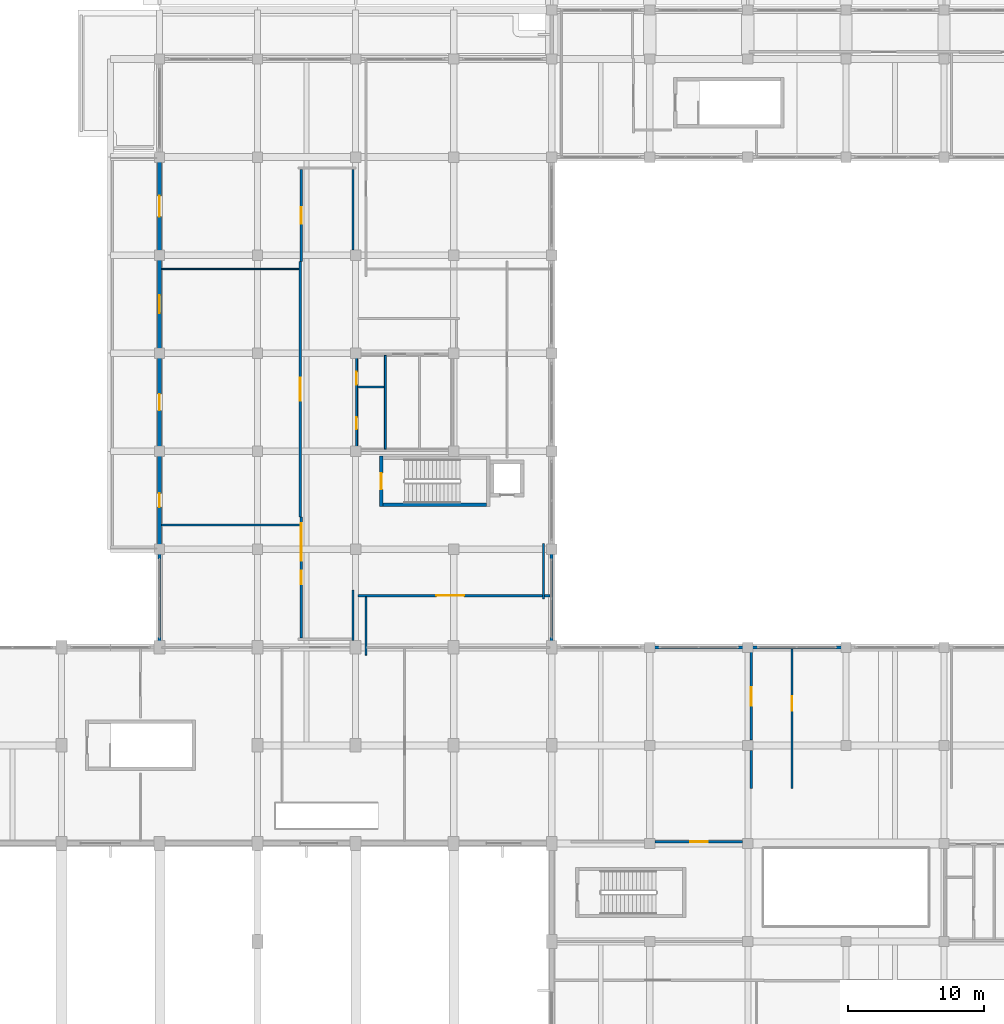
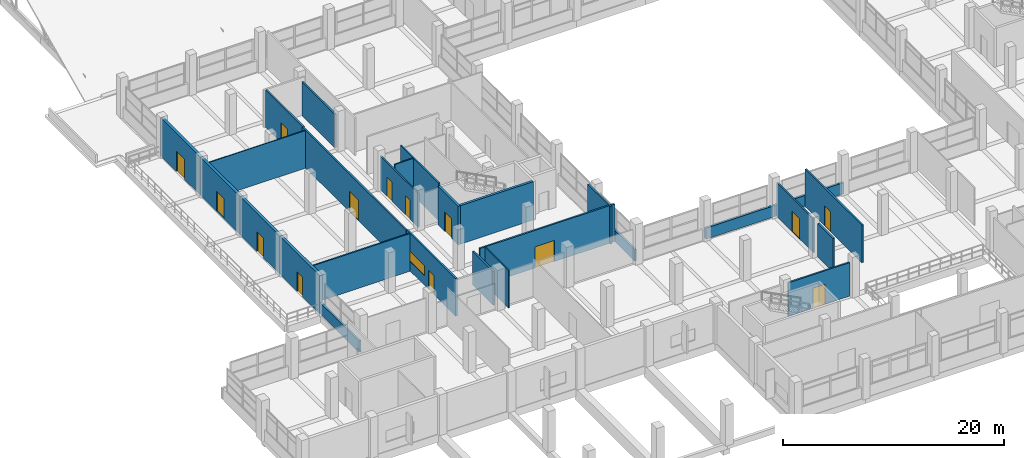
# One storey, part 127 of 141: 27 walls, 14 doors, 1 window, 15 openings.
"""IFC4 building model written with IfcOpenShell, lengths in metres."""

import ifcopenshell
import ifcopenshell.guid

model = None  # the IFC model being written
_history = None  # IfcOwnerHistory: only IFC2X3 demands one
_inside = {}  # id of a spatial element -> (the spatial element, [elements in it])
_under = {}  # id of a project, library or spatial element -> (it, [spatial elements below it])
_declared = {}  # id of a project -> (the project, [libraries it declares])
_typed = {}  # id of a type object -> (the type object, [elements of that type])
_made_of = {}  # id of a material, layer set ... -> (it, [elements and type objects made of it])


def new_model(schema):
    """Start an empty IFC model of exactly this schema.

    Asked for "IFC4X3", IfcOpenShell would pick the latest addendum, in which some entities
    have other attributes; the version numbers below select the first issue.
    IFC2X3 requires an IfcOwnerHistory on every rooted entity: one is made here for all.
    """
    global model, _history
    if schema == "IFC4X3":
        model = ifcopenshell.file(schema_version=(4, 3, 0, 0))
    else:
        model = ifcopenshell.file(schema=schema)
    _inside.clear()
    _under.clear()
    _declared.clear()
    _typed.clear()
    _made_of.clear()
    _history = None
    if model.schema == "IFC2X3":
        org = make("IfcOrganization", Name="unknown")
        user = make(
            "IfcPersonAndOrganization",
            ThePerson=make("IfcPerson", FamilyName="unknown"),
            TheOrganization=org,
        )
        app = make(
            "IfcApplication",
            ApplicationDeveloper=org,
            Version="unknown",
            ApplicationFullName="unknown",
            ApplicationIdentifier="unknown",
        )
        _history = make(
            "IfcOwnerHistory",
            OwningUser=user,
            OwningApplication=app,
            ChangeAction="ADDED",
            CreationDate=0,
        )
    return model


def make(cls, **values):
    """One entity of the class cls with the attributes given. An attribute that is None is left unset."""
    return model.create_entity(
        cls, **{name: value for name, value in values.items() if value is not None}
    )


def rooted(cls, **values):
    """An entity with a GlobalId (a new one), such as an element, a storey or a relation."""
    return make(cls, GlobalId=ifcopenshell.guid.new(), OwnerHistory=_history, **values)


def si_unit(unit_type, name, prefix=None):
    """IfcSIUnit, for example si_unit("LENGTHUNIT", "METRE", prefix="MILLI")."""
    return make("IfcSIUnit", UnitType=unit_type, Prefix=prefix, Name=name)


def assignment(units):
    """IfcUnitAssignment: the units of a project."""
    return None if units is None else make("IfcUnitAssignment", Units=units)


def point(xyz):
    """IfcCartesianPoint."""
    return None if xyz is None else make("IfcCartesianPoint", Coordinates=xyz)


def direction(xyz):
    """IfcDirection."""
    return None if xyz is None else make("IfcDirection", DirectionRatios=xyz)


def frame(location, z_axis=None, x_axis=None):
    """IfcAxis2Placement3D, a coordinate frame: its origin and axes. An axis left out is left unset."""
    return make(
        "IfcAxis2Placement3D",
        Location=point(location),
        Axis=direction(z_axis),
        RefDirection=direction(x_axis),
    )


def frame_2d(location, x_axis=None):
    """IfcAxis2Placement2D, a coordinate frame in the plane: its origin and x axis."""
    return make(
        "IfcAxis2Placement2D", Location=point(location), RefDirection=direction(x_axis)
    )


def origin():
    """The frame at (0, 0, 0) with its axes left unset."""
    return frame((0.0, 0.0, 0.0))


def place(relative_to, where):
    """IfcLocalPlacement: puts the frame where relative to a parent placement (None: the world)."""
    return make(
        "IfcLocalPlacement", PlacementRelTo=relative_to, RelativePlacement=where
    )


def context(
    kind, dimensions, precision=None, world=None, true_north=None, identifier=None
):
    """IfcGeometricRepresentationContext, for example the 3D "Model" context."""
    return make(
        "IfcGeometricRepresentationContext",
        ContextIdentifier=identifier,
        ContextType=kind,
        CoordinateSpaceDimension=dimensions,
        Precision=precision,
        WorldCoordinateSystem=world,
        TrueNorth=true_north,
    )


def subcontext(parent, identifier, kind, view, scale=None):
    """IfcGeometricRepresentationSubContext, for example "Body" below "Model"."""
    return make(
        "IfcGeometricRepresentationSubContext",
        ContextIdentifier=identifier,
        ContextType=kind,
        ParentContext=parent,
        TargetScale=scale,
        TargetView=view,
    )


def project(units=None, contexts=None):
    """IfcProject with its units and contexts."""
    return rooted(
        "IfcProject",
        Name="project",
        RepresentationContexts=contexts,
        UnitsInContext=assignment(units),
    )


def spatial(cls, under=None, at=None, **own):
    """A site, building, storey or space (cls), placed at a placement, below another one or the project."""
    s = rooted(cls, ObjectPlacement=at, **own)
    if under is not None:
        _under.setdefault(under.id(), (under, []))[1].append(s)
    return s


def profile(cls, at=None, kind="AREA", **sizes):
    """A parametric profile (cls). Its sizes go by their IFC names, for example OverallWidth=200.0."""
    return make(cls, ProfileType=kind, Position=at, **sizes)


def rectangle(**sizes):
    """IfcRectangleProfileDef."""
    return profile("IfcRectangleProfileDef", **sizes)


def extrude(swept, where, along, depth):
    """IfcExtrudedAreaSolid: the profile swept, set in the frame where, extruded along a direction by depth."""
    return make(
        "IfcExtrudedAreaSolid",
        SweptArea=swept,
        Position=where,
        ExtrudedDirection=direction(along),
        Depth=depth,
    )


def shape(context_of_items, identifier, shape_type, items):
    """IfcShapeRepresentation: the items that make up one representation, for example the "Body"."""
    return make(
        "IfcShapeRepresentation",
        ContextOfItems=context_of_items,
        RepresentationIdentifier=identifier,
        RepresentationType=shape_type,
        Items=items,
    )


def material(Name=None, Category=None):
    """IfcMaterial."""
    return make("IfcMaterial", Name=Name, Category=Category)


def layer(
    of_material, thickness, ventilated=None, Name=None, Category=None, Priority=None
):
    """IfcMaterialLayer: one layer of a wall or slab, of a material (None: an air gap)."""
    return make(
        "IfcMaterialLayer",
        Material=of_material,
        LayerThickness=thickness,
        IsVentilated=ventilated,
        Name=Name,
        Category=Category,
        Priority=Priority,
    )


def layer_set(layers, Name=None):
    """IfcMaterialLayerSet."""
    return make("IfcMaterialLayerSet", MaterialLayers=layers, LayerSetName=Name)


def made_of(thing, what):
    """Note that an element or type object is made of a material, layer set ...; save() writes the relation."""
    if what is not None:
        _made_of.setdefault(what.id(), (what, []))[1].append(thing)
    return thing


def type_object(cls, material=None, **own):
    """A type object (cls), such as IfcWallType, which elements share."""
    return made_of(rooted(cls, **own), material)


def element(
    cls,
    number,
    at=None,
    inside=None,
    cuts=None,
    type_object=None,
    material=None,
    context=None,
    identifier="Body",
    shape_type=None,
    held_by="IfcProductDefinitionShape",
    body=None,
    shapes=None,
    **own,
):
    """One element of the class cls, such as IfcWall. Its Tag is "e" and its number.

    at: its placement. inside: the storey or other place that contains it. cuts: it is an
    opening in that element (IfcRelVoidsElement). A single representation is given by context,
    identifier, shape_type and body (its items); several are given by shapes. held_by: the class
    of the entity that holds the representations. save() writes the other relations.
    """
    e = rooted(cls, Tag="e%d" % number, ObjectPlacement=at, **own)
    if body is not None:
        shapes = [shape(context, identifier, shape_type, body)]
    if shapes is not None:
        e.Representation = make(held_by, Representations=shapes)
    if inside is not None:
        _inside.setdefault(inside.id(), (inside, []))[1].append(e)
    if cuts is not None:
        rooted(
            "IfcRelVoidsElement", RelatingBuildingElement=cuts, RelatedOpeningElement=e
        )
    if type_object is not None:
        _typed.setdefault(type_object.id(), (type_object, []))[1].append(e)
    return made_of(e, material)


def fill(opening, filler):
    """IfcRelFillsElement: the door or window that sits in an opening."""
    return rooted(
        "IfcRelFillsElement",
        RelatingOpeningElement=opening,
        RelatedBuildingElement=filler,
    )


def aggregate(whole, parts):
    """IfcRelAggregates: a whole, such as a stair, and the parts it consists of."""
    return rooted("IfcRelAggregates", RelatingObject=whole, RelatedObjects=parts)


def save(model, path):
    """Write the relations noted so far, then the file.

    IfcRelAggregates (storeys below a building ...), IfcRelContainedInSpatialStructure (elements
    in a storey), IfcRelDefinesByType, IfcRelAssociatesMaterial and IfcRelDeclares: one each for
    every whole, place, type object, material and project.
    """
    for whole, parts in _under.values():
        aggregate(whole, parts)
    for where, things in _inside.values():
        rooted(
            "IfcRelContainedInSpatialStructure",
            RelatedElements=things,
            RelatingStructure=where,
        )
    for kind, things in _typed.values():
        rooted("IfcRelDefinesByType", RelatedObjects=things, RelatingType=kind)
    for what, things in _made_of.values():
        rooted("IfcRelAssociatesMaterial", RelatedObjects=things, RelatingMaterial=what)
    for by, libraries in _declared.values():
        rooted("IfcRelDeclares", RelatingContext=by, RelatedDefinitions=libraries)
    model.write(path)


model = new_model("IFC4")

# Units and contexts
model_context = context("Model", 3, precision=1e-05, world=origin(), true_north=direction((0.0, 1.0)))
body_context = subcontext(model_context, "Body", "Model", "MODEL_VIEW")
ifc_project = project(units=[si_unit("LENGTHUNIT", "METRE"), si_unit("AREAUNIT", "SQUARE_METRE"), si_unit("VOLUMEUNIT", "CUBIC_METRE"), si_unit("PLANEANGLEUNIT", "RADIAN"), si_unit("MASSUNIT", "GRAM", prefix="KILO")], contexts=[model_context])

# Site, building, storey
site_placement = place(None, origin())
site = spatial("IfcSite", under=ifc_project, at=site_placement, CompositionType="ELEMENT")
building_placement = place(site_placement, origin())
building = spatial("IfcBuilding", under=site, at=building_placement, Name="Seraya Terrace Polytechnic", CompositionType="ELEMENT")
storey_placement = place(building_placement, frame((0.0, 0.0, 14.39990234375)))
storey = spatial("IfcBuildingStorey", under=building, at=storey_placement, Name="L03", CompositionType="ELEMENT", Elevation=14.39990234375)

# Wall, opening, door
ifc_material_1 = material(Name="Precast concrete C40/50", Category="concrete")
ifc_layer_1 = layer(ifc_material_1, 0.280029296875, Name="EW-02")
ifc_layer_set_1 = layer_set([ifc_layer_1], Name="Precast concrete C40/50")
wall_type_1 = type_object("IfcWallType", Name="EW-02", PredefinedType="SOLIDWALL", material=ifc_layer_set_1)
wall_1_placement = place(storey_placement, frame((14.39990234375, 36.0, 0.0), z_axis=(0.0, 0.0, 1.0), x_axis=(0.0, 1.0, 0.0)))
wall_1 = element("IfcWall", 1, at=wall_1_placement, inside=storey, type_object=wall_type_1, Name="Exterior structural wall EW-02 L03", PredefinedType="SOLIDWALL", context=body_context, shape_type="SweptSolid", body=[
    extrude(rectangle(XDim=7.199951171875, YDim=0.280029296875, at=frame_2d((3.60009765625, 0.0))), origin(), (0.0, 0.0, 1.0), 4.22021484375),
])
opening_1_placement = place(wall_1_placement, frame((3.10009765625, 0.0, 0.0)))
opening_1 = element("IfcOpeningElement", 2, at=opening_1_placement, cuts=wall_1, Name="Opening TD-01", PredefinedType="OPENING", context=body_context, shape_type="SweptSolid", body=[
    extrude(rectangle(XDim=1.0, YDim=2.14990234375, at=frame_2d((0.5, 1.074951171875))), frame((0.0, 0.15185546875, 0.0), z_axis=(0.0, -1.0, 0.0), x_axis=(1.0, 0.0, 0.0)), (0.0, 0.0, 1.0), 0.303955078125),
])
ifc_material_2 = material(Name="Anodised aluminium EN AW-6063 T6", Category="aluminium")
door_type_1 = type_object("IfcDoorType", Name="TD-01", OperationType="NOTDEFINED", PredefinedType="DOOR", material=ifc_material_2)
door_1_placement = place(opening_1_placement, origin())
door_1 = element("IfcDoor", 3, at=door_1_placement, inside=storey, type_object=door_type_1, Name="Door TD-01 DR-TERR-L03-05-01 in WL-EXT-L03-05-01", OperationType="SINGLE_SWING_LEFT", OverallHeight=2.14990234375, OverallWidth=1.0, PredefinedType="DOOR", context=body_context, shape_type="SweptSolid", body=[
    extrude(rectangle(XDim=1.0, YDim=2.14990234375, at=frame_2d((0.5, 1.074951171875))), frame((0.0, 0.02490234375, 0.0), z_axis=(0.0, -1.0, 0.0), x_axis=(1.0, 0.0, 0.0)), (0.0, 0.0, 1.0), 0.050048828125),
])
fill(opening_1, door_1)

wall_2_placement = place(storey_placement, frame((14.39990234375, 43.199951171875, 0.0), z_axis=(0.0, 0.0, 1.0), x_axis=(0.0, 1.0, 0.0)))
wall_2 = element("IfcWall", 4, at=wall_2_placement, inside=storey, type_object=wall_type_1, Name="Exterior structural wall EW-02 L03", PredefinedType="SOLIDWALL", context=body_context, shape_type="SweptSolid", body=[
    extrude(rectangle(XDim=7.199951171875, YDim=0.280029296875, at=frame_2d((3.60009765625, 0.0))), origin(), (0.0, 0.0, 1.0), 4.22021484375),
])
opening_2_placement = place(wall_2_placement, frame((3.010009765625, 0.0, 0.0)))
opening_2 = element("IfcOpeningElement", 5, at=opening_2_placement, cuts=wall_2, Name="Opening TD-02", PredefinedType="OPENING", context=body_context, shape_type="SweptSolid", body=[
    extrude(rectangle(XDim=1.179931640625, YDim=2.179931640625, at=frame_2d((0.58984375, 1.08984375))), frame((0.0, 0.15185546875, 0.0), z_axis=(0.0, -1.0, 0.0), x_axis=(1.0, 0.0, 0.0)), (0.0, 0.0, 1.0), 0.303955078125),
])
door_type_2 = type_object("IfcDoorType", Name="TD-02", OperationType="NOTDEFINED", PredefinedType="DOOR", material=ifc_material_2)
door_2_placement = place(opening_2_placement, origin())
door_2 = element("IfcDoor", 6, at=door_2_placement, inside=storey, type_object=door_type_2, Name="Door TD-02 DR-TERR-L03-05-02 in WL-EXT-L03-05-02", OperationType="SINGLE_SWING_RIGHT", OverallHeight=2.179931640625, OverallWidth=1.179931640625, PredefinedType="DOOR", context=body_context, shape_type="SweptSolid", body=[
    extrude(rectangle(XDim=1.179931640625, YDim=2.179931640625, at=frame_2d((0.58984375, 1.08984375))), frame((0.0, 0.02490234375, 0.0), z_axis=(0.0, -1.0, 0.0), x_axis=(1.0, 0.0, 0.0)), (0.0, 0.0, 1.0), 0.050048828125),
])
fill(opening_2, door_2)

wall_3_placement = place(storey_placement, frame((14.39990234375, 50.39990234375, 0.0), z_axis=(0.0, 0.0, 1.0), x_axis=(0.0, 1.0, 0.0)))
wall_3 = element("IfcWall", 7, at=wall_3_placement, inside=storey, type_object=wall_type_1, Name="Exterior structural wall EW-02 L03", PredefinedType="SOLIDWALL", context=body_context, shape_type="SweptSolid", body=[
    extrude(rectangle(XDim=7.2001953125, YDim=0.280029296875, at=frame_2d((3.60009765625, 0.0))), origin(), (0.0, 0.0, 1.0), 4.22021484375),
])
opening_3_placement = place(wall_3_placement, frame((2.93994140625, 0.0, 0.0)))
opening_3 = element("IfcOpeningElement", 8, at=opening_3_placement, cuts=wall_3, Name="Opening TD-03", PredefinedType="OPENING", context=body_context, shape_type="SweptSolid", body=[
    extrude(rectangle(XDim=1.320068359375, YDim=2.199951171875, at=frame_2d((0.66015625, 1.10009765625))), frame((0.0, 0.15185546875, 0.0), z_axis=(0.0, -1.0, 0.0), x_axis=(1.0, 0.0, 0.0)), (0.0, 0.0, 1.0), 0.303955078125),
])
door_type_3 = type_object("IfcDoorType", Name="TD-03", OperationType="NOTDEFINED", PredefinedType="DOOR", material=ifc_material_2)
door_3_placement = place(opening_3_placement, origin())
door_3 = element("IfcDoor", 9, at=door_3_placement, inside=storey, type_object=door_type_3, Name="Door TD-03 DR-TERR-L03-05-03 in WL-EXT-L03-05-03", OperationType="SINGLE_SWING_LEFT", OverallHeight=2.199951171875, OverallWidth=1.320068359375, PredefinedType="DOOR", context=body_context, shape_type="SweptSolid", body=[
    extrude(rectangle(XDim=1.320068359375, YDim=2.199951171875, at=frame_2d((0.66015625, 1.10009765625))), frame((0.0, 0.02490234375, 0.0), z_axis=(0.0, -1.0, 0.0), x_axis=(1.0, 0.0, 0.0)), (0.0, 0.0, 1.0), 0.050048828125),
])
fill(opening_3, door_3)

wall_4_placement = place(storey_placement, frame((14.39990234375, 57.60009765625, 0.0), z_axis=(0.0, 0.0, 1.0), x_axis=(0.0, 1.0, 0.0)))
wall_4 = element("IfcWall", 10, at=wall_4_placement, inside=storey, type_object=wall_type_1, Name="Exterior structural wall EW-02 L03", PredefinedType="SOLIDWALL", context=body_context, shape_type="SweptSolid", body=[
    extrude(rectangle(XDim=7.199951171875, YDim=0.280029296875, at=frame_2d((3.60009765625, 0.0))), origin(), (0.0, 0.0, 1.0), 4.22021484375),
])
opening_4_placement = place(wall_4_placement, frame((2.840087890625, 0.0, 0.0)))
opening_4 = element("IfcOpeningElement", 11, at=opening_4_placement, cuts=wall_4, Name="Opening TD-04", PredefinedType="OPENING", context=body_context, shape_type="SweptSolid", body=[
    extrude(rectangle(XDim=1.52001953125, YDim=2.219970703125, at=frame_2d((0.760009765625, 1.10986328125))), frame((0.0, 0.15185546875, 0.0), z_axis=(0.0, -1.0, 0.0), x_axis=(1.0, 0.0, 0.0)), (0.0, 0.0, 1.0), 0.303955078125),
])
door_type_4 = type_object("IfcDoorType", Name="TD-04", OperationType="DOUBLE_DOOR_SINGLE_SWING", PredefinedType="DOOR", material=ifc_material_2)
door_4_placement = place(opening_4_placement, origin())
door_4 = element("IfcDoor", 12, at=door_4_placement, inside=storey, type_object=door_type_4, Name="Door TD-04 DR-TERR-L03-05-04 in WL-EXT-L03-05-04", OperationType="DOUBLE_DOOR_SINGLE_SWING", OverallHeight=2.219970703125, OverallWidth=1.52001953125, PredefinedType="DOOR", context=body_context, shape_type="SweptSolid", body=[
    extrude(rectangle(XDim=1.52001953125, YDim=2.219970703125, at=frame_2d((0.760009765625, 1.10986328125))), frame((0.0, 0.02490234375, 0.0), z_axis=(0.0, -1.0, 0.0), x_axis=(1.0, 0.0, 0.0)), (0.0, 0.0, 1.0), 0.050048828125),
])
fill(opening_4, door_4)

# Walls
ifc_layer_2 = layer(ifc_material_1, 0.219970703125, Name="EW-05")
ifc_layer_set_2 = layer_set([ifc_layer_2], Name="Precast concrete C40/50")
wall_type_2 = type_object("IfcWallType", Name="EW-05", PredefinedType="SOLIDWALL", material=ifc_layer_set_2)
for number, where, z_axis, x_axis, name in (
    (13, (14.39990234375, 28.966064453125, 0.0), (0.0, 0.0, 1.0), (0.0, 1.0, 0.0), "Precast spandrel wall L03"),
    (14, (43.199951171875, 36.0, 0.0), (0.0, 0.0, 1.0), (0.0, -1.0, 0.0), "Precast spandrel wall L03"),
):
    element("IfcWall", number, at=place(storey_placement, frame(where, z_axis=z_axis, x_axis=x_axis)), inside=storey, type_object=wall_type_2, Name=name, PredefinedType="SOLIDWALL", context=body_context, shape_type="SweptSolid", body=[
        extrude(rectangle(XDim=7.033935546875, YDim=0.219970703125, at=frame_2d((3.51708984375, 0.0))), origin(), (0.0, 0.0, 1.0), 1.239990234375),
    ])
wall_5_placement = place(storey_placement, frame((50.39990234375, 28.800048828125, 0.0), z_axis=(0.0, 0.0, 1.0), x_axis=(1.0, 0.0, 0.0)))
element("IfcWall", 15, at=wall_5_placement, inside=storey, type_object=wall_type_2, Name="Precast spandrel wall L03", PredefinedType="SOLIDWALL", context=body_context, shape_type="SweptSolid", body=[
    extrude(rectangle(XDim=7.2001953125, YDim=0.219970703125, at=frame_2d((3.60009765625, 0.0))), origin(), (0.0, 0.0, 1.0), 1.239990234375),
])
wall_6_placement = place(storey_placement, frame((57.60009765625, 28.800048828125, 0.0), z_axis=(0.0, 0.0, 1.0), x_axis=(1.0, 0.0, 0.0)))
element("IfcWall", 16, at=wall_6_placement, inside=storey, type_object=wall_type_2, Name="Precast spandrel wall L03", PredefinedType="SOLIDWALL", context=body_context, shape_type="SweptSolid", body=[
    extrude(rectangle(XDim=7.199951171875, YDim=0.219970703125, at=frame_2d((3.60009765625, 0.0))), origin(), (0.0, 0.0, 1.0), 1.239990234375),
])

# Wall, opening, door
ifc_material_3 = material(Name="Autoclaved aerated concrete blockwork", Category="masonry")
ifc_layer_3 = layer(ifc_material_3, 0.169921875, Name="PT-02")
ifc_layer_set_3 = layer_set([ifc_layer_3], Name="Autoclaved aerated concrete blockwork")
wall_type_3 = type_object("IfcWallType", Name="PT-02", PredefinedType="PARTITIONING", material=ifc_layer_set_3)
wall_7_placement = place(storey_placement, frame((50.784912109375, 14.530029296875, 0.0), z_axis=(0.0, 0.0, 1.0), x_axis=(1.0, 0.0, 0.0)))
wall_7 = element("IfcWall", 17, at=wall_7_placement, inside=storey, type_object=wall_type_3, Name="Internal partition PT-02 L03", PredefinedType="PARTITIONING", context=body_context, shape_type="SweptSolid", body=[
    extrude(rectangle(XDim=6.43017578125, YDim=0.169921875, at=frame_2d((3.215087890625, 0.0))), origin(), (0.0, 0.0, 1.0), 3.7001953125),
])
opening_5_placement = place(wall_7_placement, frame((2.574951171875, 0.0, 0.0)))
opening_5 = element("IfcOpeningElement", 18, at=opening_5_placement, cuts=wall_7, Name="Opening ID-08", PredefinedType="OPENING", context=body_context, shape_type="SweptSolid", body=[
    extrude(rectangle(XDim=1.280029296875, YDim=2.219970703125, at=frame_2d((0.64013671875, 1.10986328125))), frame((0.0, 0.096923828125, 0.0), z_axis=(0.0, -1.0, 0.0), x_axis=(1.0, 0.0, 0.0)), (0.0, 0.0, 1.0), 0.19384765625),
])
ifc_material_4 = material(Name="Malaysian dark red meranti hardwood timber D40", Category="wood")
door_type_5 = type_object("IfcDoorType", Name="ID-08", OperationType="NOTDEFINED", PredefinedType="DOOR", material=ifc_material_4)
door_5_placement = place(opening_5_placement, frame((1.280029296875, 0.0, 0.0), z_axis=(0.0, 0.0, 1.0), x_axis=(-1.0, 0.0, 0.0)))
door_5 = element("IfcDoor", 19, at=door_5_placement, inside=storey, type_object=door_type_5, Name="Door ID-08 DR-INT-L03-0197 in WL-INT-L03-0548", OperationType="SINGLE_SWING_RIGHT", OverallHeight=2.219970703125, OverallWidth=1.280029296875, PredefinedType="DOOR", context=body_context, shape_type="SweptSolid", body=[
    extrude(rectangle(XDim=1.280029296875, YDim=2.219970703125, at=frame_2d((0.64013671875, 1.10986328125))), frame((0.0, 0.02490234375, 0.0), z_axis=(0.0, -1.0, 0.0), x_axis=(1.0, 0.0, 0.0)), (0.0, 0.0, 1.0), 0.050048828125),
])
fill(opening_5, door_5)

wall_8_placement = place(storey_placement, frame((57.85009765625, 21.985107421875, 0.0), z_axis=(0.0, 0.0, 1.0), x_axis=(0.0, 1.0, 0.0)))
wall_8 = element("IfcWall", 20, at=wall_8_placement, inside=storey, type_object=wall_type_3, Name="Internal partition PT-02 L03", PredefinedType="PARTITIONING", context=body_context, shape_type="SweptSolid", body=[
    extrude(rectangle(XDim=6.69287109375, YDim=0.169921875, at=frame_2d((3.346435546875, 0.0))), origin(), (0.0, 0.0, 1.0), 3.72998046875),
])
opening_6_placement = place(wall_8_placement, frame((2.544921875, 0.0, 0.0)))
opening_6 = element("IfcOpeningElement", 21, at=opening_6_placement, cuts=wall_8, Name="Opening ID-09", PredefinedType="OPENING", context=body_context, shape_type="SweptSolid", body=[
    extrude(rectangle(XDim=1.340087890625, YDim=2.239990234375, at=frame_2d((0.669921875, 1.1201171875))), frame((0.0, 0.096923828125, 0.0), z_axis=(0.0, -1.0, 0.0), x_axis=(1.0, 0.0, 0.0)), (0.0, 0.0, 1.0), 0.19384765625),
])
door_type_6 = type_object("IfcDoorType", Name="ID-09", OperationType="NOTDEFINED", PredefinedType="DOOR", material=ifc_material_4)
door_6_placement = place(opening_6_placement, origin())
door_6 = element("IfcDoor", 22, at=door_6_placement, inside=storey, type_object=door_type_6, Name="Door ID-09 DR-INT-L03-0198 in WL-INT-L03-0581", OperationType="SINGLE_SWING_LEFT", OverallHeight=2.239990234375, OverallWidth=1.340087890625, PredefinedType="DOOR", context=body_context, shape_type="SweptSolid", body=[
    extrude(rectangle(XDim=1.340087890625, YDim=2.239990234375, at=frame_2d((0.669921875, 1.1201171875))), frame((0.0, 0.02490234375, 0.0), z_axis=(0.0, -1.0, 0.0), x_axis=(1.0, 0.0, 0.0)), (0.0, 0.0, 1.0), 0.050048828125),
])
fill(opening_6, door_6)

# Wall
wall_9_placement = place(storey_placement, frame((57.85009765625, 18.4384765625, 0.0), z_axis=(0.0, 0.0, 1.0), x_axis=(0.0, 1.0, 0.0)))
element("IfcWall", 23, at=wall_9_placement, inside=storey, type_object=wall_type_3, Name="Internal partition PT-02 L03", PredefinedType="PARTITIONING", context=body_context, shape_type="SweptSolid", body=[
    extrude(rectangle(XDim=2.776611328125, YDim=0.169921875, at=frame_2d((1.38818359375, 0.0))), origin(), (0.0, 0.0, 1.0), 3.72998046875),
])

# Wall, opening, door
wall_10_placement = place(storey_placement, frame((60.85009765625, 18.4384765625, 0.0), z_axis=(0.0, 0.0, 1.0), x_axis=(0.0, 1.0, 0.0)))
wall_10 = element("IfcWall", 24, at=wall_10_placement, inside=storey, type_object=wall_type_3, Name="Internal partition PT-02 L03", PredefinedType="PARTITIONING", context=body_context, shape_type="SweptSolid", body=[
    extrude(rectangle(XDim=10.239501953125, YDim=0.169921875, at=frame_2d((5.11962890625, 0.0))), origin(), (0.0, 0.0, 1.0), 4.16015625),
])
opening_7_placement = place(wall_10_placement, frame((5.69580078125, 0.0, 0.0)))
opening_7 = element("IfcOpeningElement", 25, at=opening_7_placement, cuts=wall_10, Name="Opening ID-05", PredefinedType="OPENING", context=body_context, shape_type="SweptSolid", body=[
    extrude(rectangle(XDim=1.080078125, YDim=2.199951171875, at=frame_2d((0.5400390625, 1.10009765625))), frame((0.0, 0.096923828125, 0.0), z_axis=(0.0, -1.0, 0.0), x_axis=(1.0, 0.0, 0.0)), (0.0, 0.0, 1.0), 0.19384765625),
])
door_type_7 = type_object("IfcDoorType", Name="ID-05", OperationType="NOTDEFINED", PredefinedType="DOOR", material=ifc_material_4)
door_7_placement = place(opening_7_placement, origin())
door_7 = element("IfcDoor", 26, at=door_7_placement, inside=storey, type_object=door_type_7, Name="Door ID-05 DR-INT-L03-0210 in WL-INT-L03-0583", OperationType="SINGLE_SWING_LEFT", OverallHeight=2.199951171875, OverallWidth=1.080078125, PredefinedType="DOOR", context=body_context, shape_type="SweptSolid", body=[
    extrude(rectangle(XDim=1.080078125, YDim=2.199951171875, at=frame_2d((0.5400390625, 1.10009765625))), frame((0.0, 0.02490234375, 0.0), z_axis=(0.0, -1.0, 0.0), x_axis=(1.0, 0.0, 0.0)), (0.0, 0.0, 1.0), 0.050048828125),
])
fill(opening_7, door_7)

# Wall
wall_11_placement = place(storey_placement, frame((28.60009765625, 29.31005859375, 0.0), z_axis=(0.0, 0.0, 1.0), x_axis=(0.0, 1.0, 0.0)))
element("IfcWall", 27, at=wall_11_placement, inside=storey, type_object=wall_type_3, Name="Internal partition PT-02 L03", PredefinedType="PARTITIONING", context=body_context, shape_type="SweptSolid", body=[
    extrude(rectangle(XDim=3.721435546875, YDim=0.169921875, at=frame_2d((1.86083984375, 0.0))), origin(), (0.0, 0.0, 1.0), 3.72998046875),
])

# Wall, openings, door, window
wall_12_placement = place(storey_placement, frame((24.800048828125, 29.5, 0.0), z_axis=(0.0, 0.0, 1.0), x_axis=(0.0, 1.0, 0.0)))
wall_12 = element("IfcWall", 28, at=wall_12_placement, inside=storey, type_object=wall_type_3, Name="Internal partition PT-02 L03", PredefinedType="PARTITIONING", context=body_context, shape_type="SweptSolid", body=[
    extrude(rectangle(XDim=8.87158203125, YDim=0.169921875, at=frame_2d((4.435791015625, 0.0))), origin(), (0.0, 0.0, 1.0), 4.16015625),
])
opening_8_placement = place(wall_12_placement, frame((3.94580078125, 0.0, 0.0)))
opening_8 = element("IfcOpeningElement", 29, at=opening_8_placement, cuts=wall_12, Name="Opening ID-03", PredefinedType="OPENING", context=body_context, shape_type="SweptSolid", body=[
    extrude(rectangle(XDim=0.97998046875, YDim=2.139892578125, at=frame_2d((0.489990234375, 1.06982421875))), frame((0.0, 0.096923828125, 0.0), z_axis=(0.0, -1.0, 0.0), x_axis=(1.0, 0.0, 0.0)), (0.0, 0.0, 1.0), 0.19384765625),
])
opening_9_placement = place(wall_12_placement, frame((5.67138671875, 0.0, 1.050048828125)))
opening_9 = element("IfcOpeningElement", 30, at=opening_9_placement, cuts=wall_12, Name="Opening IW-05", PredefinedType="OPENING", context=body_context, shape_type="SweptSolid", body=[
    extrude(rectangle(XDim=2.75, YDim=1.14990234375, at=frame_2d((1.375, 0.574951171875))), frame((0.0, 0.096923828125, 0.0), z_axis=(0.0, -1.0, 0.0), x_axis=(1.0, 0.0, 0.0)), (0.0, 0.0, 1.0), 0.19384765625),
])
door_type_8 = type_object("IfcDoorType", Name="ID-03", OperationType="NOTDEFINED", PredefinedType="DOOR", material=ifc_material_4)
door_8_placement = place(opening_8_placement, origin())
door_8 = element("IfcDoor", 31, at=door_8_placement, inside=storey, type_object=door_type_8, Name="Door ID-03 DR-INT-L03-0192 in WL-INT-L03-0586", OperationType="SINGLE_SWING_LEFT", OverallHeight=2.139892578125, OverallWidth=0.97998046875, PredefinedType="DOOR", context=body_context, shape_type="SweptSolid", body=[
    extrude(rectangle(XDim=0.97998046875, YDim=2.139892578125, at=frame_2d((0.489990234375, 1.06982421875))), frame((0.0, 0.02490234375, 0.0), z_axis=(0.0, -1.0, 0.0), x_axis=(1.0, 0.0, 0.0)), (0.0, 0.0, 1.0), 0.050048828125),
])
fill(opening_8, door_8)
ifc_material_5 = material(Name="Laminated solar-control Low-E double glazing", Category="glass")
window_type = type_object("IfcWindowType", Name="IW-05", PartitioningType="SINGLE_PANEL", PredefinedType="WINDOW", material=ifc_material_5)
window_placement = place(opening_9_placement, origin())
window = element("IfcWindow", 32, at=window_placement, inside=storey, type_object=window_type, Name="Internal lab vision window IW-05 L03", OverallHeight=1.14990234375, OverallWidth=2.75, PartitioningType="SINGLE_PANEL", PredefinedType="WINDOW", context=body_context, shape_type="SweptSolid", body=[
    extrude(rectangle(XDim=2.75, YDim=1.14990234375, at=frame_2d((1.375, 0.574951171875))), frame((0.0, 0.030029296875, 0.0), z_axis=(0.0, -1.0, 0.0), x_axis=(1.0, 0.0, 0.0)), (0.0, 0.0, 1.0), 0.06005859375),
])
fill(opening_9, window)

# Wall, opening, door
wall_13_placement = place(storey_placement, frame((24.72998046875, 38.37158203125, 0.0), z_axis=(0.0, 0.0, 1.0), x_axis=(0.0, 1.0, 0.0)))
wall_13 = element("IfcWall", 33, at=wall_13_placement, inside=storey, type_object=wall_type_3, Name="Internal partition PT-02 L03", PredefinedType="PARTITIONING", context=body_context, shape_type="SweptSolid", body=[
    extrude(rectangle(XDim=18.7783203125, YDim=0.169921875, at=frame_2d((9.38916015625, 0.0))), origin(), (0.0, 0.0, 1.0), 4.16015625),
])
opening_10_placement = place(wall_13_placement, frame((8.54931640625, 0.0, 0.0)))
opening_10 = element("IfcOpeningElement", 34, at=opening_10_placement, cuts=wall_13, Name="Opening ID-13", PredefinedType="OPENING", context=body_context, shape_type="SweptSolid", body=[
    extrude(rectangle(XDim=1.679931640625, YDim=2.280029296875, at=frame_2d((0.83984375, 1.14013671875))), frame((0.0, 0.096923828125, 0.0), z_axis=(0.0, -1.0, 0.0), x_axis=(1.0, 0.0, 0.0)), (0.0, 0.0, 1.0), 0.19384765625),
])
door_type_9 = type_object("IfcDoorType", Name="ID-13", OperationType="DOUBLE_DOOR_SINGLE_SWING", PredefinedType="DOOR", material=ifc_material_4)
door_9_placement = place(opening_10_placement, origin())
door_9 = element("IfcDoor", 35, at=door_9_placement, inside=storey, type_object=door_type_9, Name="Door ID-13 DR-INT-L03-0186 in WL-INT-L03-0587", OperationType="DOUBLE_DOOR_SINGLE_SWING", OverallHeight=2.280029296875, OverallWidth=1.679931640625, PredefinedType="DOOR", context=body_context, shape_type="SweptSolid", body=[
    extrude(rectangle(XDim=1.679931640625, YDim=2.280029296875, at=frame_2d((0.83984375, 1.14013671875))), frame((0.0, 0.02490234375, 0.0), z_axis=(0.0, -1.0, 0.0), x_axis=(1.0, 0.0, 0.0)), (0.0, 0.0, 1.0), 0.050048828125),
])
fill(opening_10, door_9)

# Wall
wall_14_placement = place(storey_placement, frame((28.60009765625, 57.985107421875, 0.0), z_axis=(0.0, 0.0, 1.0), x_axis=(0.0, 1.0, 0.0)))
element("IfcWall", 36, at=wall_14_placement, inside=storey, type_object=wall_type_3, Name="Internal partition PT-02 L03", PredefinedType="PARTITIONING", context=body_context, shape_type="SweptSolid", body=[
    extrude(rectangle(XDim=5.914794921875, YDim=0.169921875, at=frame_2d((2.95751953125, 0.0))), origin(), (0.0, 0.0, 1.0), 3.72998046875),
])

# Wall, opening, door
wall_15_placement = place(storey_placement, frame((24.800048828125, 57.14990234375, 0.0), z_axis=(0.0, 0.0, 1.0), x_axis=(0.0, 1.0, 0.0)))
wall_15 = element("IfcWall", 37, at=wall_15_placement, inside=storey, type_object=wall_type_3, Name="Internal partition PT-02 L03", PredefinedType="PARTITIONING", context=body_context, shape_type="SweptSolid", body=[
    extrude(rectangle(XDim=6.75, YDim=0.169921875, at=frame_2d((3.375, 0.0))), origin(), (0.0, 0.0, 1.0), 4.16015625),
])
opening_11_placement = place(wall_15_placement, frame((2.764892578125, 0.0, 0.0)))
opening_11 = element("IfcOpeningElement", 38, at=opening_11_placement, cuts=wall_15, Name="Opening ID-07", PredefinedType="OPENING", context=body_context, shape_type="SweptSolid", body=[
    extrude(rectangle(XDim=1.219970703125, YDim=2.219970703125, at=frame_2d((0.60986328125, 1.10986328125))), frame((0.0, 0.096923828125, 0.0), z_axis=(0.0, -1.0, 0.0), x_axis=(1.0, 0.0, 0.0)), (0.0, 0.0, 1.0), 0.19384765625),
])
door_type_10 = type_object("IfcDoorType", Name="ID-07", OperationType="NOTDEFINED", PredefinedType="DOOR", material=ifc_material_4)
door_10_placement = place(opening_11_placement, origin())
door_10 = element("IfcDoor", 39, at=door_10_placement, inside=storey, type_object=door_type_10, Name="Door ID-07 DR-INT-L03-0196 in WL-INT-L03-0590", OperationType="SINGLE_SWING_LEFT", OverallHeight=2.219970703125, OverallWidth=1.219970703125, PredefinedType="DOOR", context=body_context, shape_type="SweptSolid", body=[
    extrude(rectangle(XDim=1.219970703125, YDim=2.219970703125, at=frame_2d((0.60986328125, 1.10986328125))), frame((0.0, 0.02490234375, 0.0), z_axis=(0.0, -1.0, 0.0), x_axis=(1.0, 0.0, 0.0)), (0.0, 0.0, 1.0), 0.050048828125),
])
fill(opening_11, door_10)

# Wall
wall_16_placement = place(storey_placement, frame((42.60009765625, 32.360107421875, 0.0), z_axis=(0.0, 0.0, 1.0), x_axis=(0.0, 1.0, 0.0)))
element("IfcWall", 40, at=wall_16_placement, inside=storey, type_object=wall_type_3, Name="Internal partition PT-02 L03", PredefinedType="PARTITIONING", context=body_context, shape_type="SweptSolid", body=[
    extrude(rectangle(XDim=4.08203125, YDim=0.169921875, at=frame_2d((2.041015625, 0.0))), origin(), (0.0, 0.0, 1.0), 4.16015625),
])

# Wall, opening, door
wall_17_placement = place(storey_placement, frame((28.985595703125, 32.60009765625, 0.0), z_axis=(0.0, 0.0, 1.0), x_axis=(1.0, 0.0, 0.0)))
wall_17 = element("IfcWall", 41, at=wall_17_placement, inside=storey, type_object=wall_type_3, Name="Internal partition PT-02 L03", PredefinedType="PARTITIONING", context=body_context, shape_type="SweptSolid", body=[
    extrude(rectangle(XDim=14.09228515625, YDim=0.169921875, at=frame_2d((7.046142578125, 0.0))), origin(), (0.0, 0.0, 1.0), 4.16015625),
])
opening_12_placement = place(wall_17_placement, frame((5.7373046875, 0.0, 0.0)))
opening_12 = element("IfcOpeningElement", 42, at=opening_12_placement, cuts=wall_17, Name="Opening ID-17", PredefinedType="OPENING", context=body_context, shape_type="SweptSolid", body=[
    extrude(rectangle(XDim=2.0400390625, YDim=2.340087890625, at=frame_2d((1.02001953125, 1.169921875))), frame((0.0, 0.096923828125, 0.0), z_axis=(0.0, -1.0, 0.0), x_axis=(1.0, 0.0, 0.0)), (0.0, 0.0, 1.0), 0.19384765625),
])
door_type_11 = type_object("IfcDoorType", Name="ID-17", OperationType="DOUBLE_DOOR_SINGLE_SWING", PredefinedType="DOOR", material=ifc_material_4)
door_11_placement = place(opening_12_placement, origin())
door_11 = element("IfcDoor", 43, at=door_11_placement, inside=storey, type_object=door_type_11, Name="Door ID-17 DR-INT-L03-0206 in WL-INT-L03-0592", OperationType="DOUBLE_DOOR_SINGLE_SWING", OverallHeight=2.340087890625, OverallWidth=2.0400390625, PredefinedType="DOOR", context=body_context, shape_type="SweptSolid", body=[
    extrude(rectangle(XDim=2.0400390625, YDim=2.340087890625, at=frame_2d((1.02001953125, 1.169921875))), frame((0.0, 0.02490234375, 0.0), z_axis=(0.0, -1.0, 0.0), x_axis=(1.0, 0.0, 0.0)), (0.0, 0.0, 1.0), 0.050048828125),
])
fill(opening_12, door_11)

# Wall
ifc_layer_4 = layer(ifc_material_3, 0.14990234375, Name="PT-03")
ifc_layer_set_4 = layer_set([ifc_layer_4], Name="Autoclaved aerated concrete blockwork")
wall_type_4 = type_object("IfcWallType", Name="PT-03", PredefinedType="PARTITIONING", material=ifc_layer_set_4)
wall_18_placement = place(storey_placement, frame((14.552001953125, 37.800048828125, 0.0), z_axis=(0.0, 0.0, 1.0), x_axis=(1.0, 0.0, 0.0)))
element("IfcWall", 44, at=wall_18_placement, inside=storey, type_object=wall_type_4, Name="Internal partition PT-03 L03", PredefinedType="PARTITIONING", context=body_context, shape_type="SweptSolid", body=[
    extrude(rectangle(XDim=10.14794921875, YDim=0.14990234375, at=frame_2d((5.073974609375, 0.0))), origin(), (0.0, 0.0, 1.0), 4.16015625),
])

# Wall, openings, doors
ifc_layer_5 = layer(ifc_material_3, 0.139892578125, Name="PT-04")
ifc_layer_set_5 = layer_set([ifc_layer_5], Name="Autoclaved aerated concrete blockwork")
wall_type_5 = type_object("IfcWallType", Name="PT-04", PredefinedType="PARTITIONING", material=ifc_layer_set_5)
wall_19_placement = place(storey_placement, frame((28.8701171875, 43.35009765625, 0.0), z_axis=(0.0, 0.0, 1.0), x_axis=(0.0, 1.0, 0.0)))
wall_19 = element("IfcWall", 45, at=wall_19_placement, inside=storey, type_object=wall_type_5, Name="Sanitary WC-B West wall L03", PredefinedType="PARTITIONING", context=body_context, shape_type="SweptSolid", body=[
    extrude(rectangle(XDim=6.89990234375, YDim=0.139892578125, at=frame_2d((3.449951171875, 0.0))), origin(), (0.0, 0.0, 1.0), 3.72998046875),
])
opening_13_placement = place(wall_19_placement, frame((1.449951171875, 0.0, 0.0)))
opening_13 = element("IfcOpeningElement", 46, at=opening_13_placement, cuts=wall_19, Name="Opening ID-02", PredefinedType="OPENING", context=body_context, shape_type="SweptSolid", body=[
    extrude(rectangle(XDim=0.89990234375, YDim=2.080078125, at=frame_2d((0.449951171875, 1.0400390625))), frame((0.0, 0.08203125, 0.0), z_axis=(0.0, -1.0, 0.0), x_axis=(1.0, 0.0, 0.0)), (0.0, 0.0, 1.0), 0.163818359375),
])
opening_14_placement = place(wall_19_placement, frame((4.75, 0.0, 0.0)))
opening_14 = element("IfcOpeningElement", 47, at=opening_14_placement, cuts=wall_19, Name="Opening ID-01", PredefinedType="OPENING", context=body_context, shape_type="SweptSolid", body=[
    extrude(rectangle(XDim=0.93994140625, YDim=2.10009765625, at=frame_2d((0.469970703125, 1.050048828125))), frame((0.0, 0.08203125, 0.0), z_axis=(0.0, -1.0, 0.0), x_axis=(1.0, 0.0, 0.0)), (0.0, 0.0, 1.0), 0.163818359375),
])
door_type_12 = type_object("IfcDoorType", Name="ID-01", OperationType="NOTDEFINED", PredefinedType="DOOR", material=ifc_material_4)
door_12_placement = place(opening_14_placement, origin())
door_12 = element("IfcDoor", 48, at=door_12_placement, inside=storey, type_object=door_type_12, Name="Door ID-01 DR-WC-WC-B-L03-OKU in WL-WC-WC-B-L03-W", OperationType="SINGLE_SWING_LEFT", OverallHeight=2.10009765625, OverallWidth=0.93994140625, PredefinedType="DOOR", context=body_context, shape_type="SweptSolid", body=[
    extrude(rectangle(XDim=0.93994140625, YDim=2.10009765625, at=frame_2d((0.469970703125, 1.050048828125))), frame((0.0, 0.02490234375, 0.0), z_axis=(0.0, -1.0, 0.0), x_axis=(1.0, 0.0, 0.0)), (0.0, 0.0, 1.0), 0.050048828125),
])
fill(opening_14, door_12)
door_type_13 = type_object("IfcDoorType", Name="ID-02", OperationType="NOTDEFINED", PredefinedType="DOOR", material=ifc_material_4)
door_13_placement = place(opening_13_placement, frame((0.89990234375, 0.0, 0.0), z_axis=(0.0, 0.0, 1.0), x_axis=(-1.0, 0.0, 0.0)))
door_13 = element("IfcDoor", 49, at=door_13_placement, inside=storey, type_object=door_type_13, Name="Door ID-02 DR-WC-WC-B-L03-CLN in WL-WC-WC-B-L03-W", OperationType="SINGLE_SWING_RIGHT", OverallHeight=2.080078125, OverallWidth=0.89990234375, PredefinedType="DOOR", context=body_context, shape_type="SweptSolid", body=[
    extrude(rectangle(XDim=0.89990234375, YDim=2.080078125, at=frame_2d((0.449951171875, 1.0400390625))), frame((0.0, 0.02490234375, 0.0), z_axis=(0.0, -1.0, 0.0), x_axis=(1.0, 0.0, 0.0)), (0.0, 0.0, 1.0), 0.050048828125),
])
fill(opening_13, door_13)

# Walls
wall_20_placement = place(storey_placement, frame((30.97998046875, 43.35009765625, 0.0), z_axis=(0.0, 0.0, 1.0), x_axis=(0.0, 1.0, 0.0)))
element("IfcWall", 50, at=wall_20_placement, inside=storey, type_object=wall_type_5, Name="Sanitary WC-B OKU/Male divider L03", PredefinedType="PARTITIONING", context=body_context, shape_type="SweptSolid", body=[
    extrude(rectangle(XDim=6.89990234375, YDim=0.139892578125, at=frame_2d((3.449951171875, 0.0))), origin(), (0.0, 0.0, 1.0), 4.16015625),
])
wall_21_placement = place(storey_placement, frame((28.949951171875, 47.919921875, 0.0), z_axis=(0.0, 0.0, 1.0), x_axis=(1.0, 0.0, 0.0)))
element("IfcWall", 51, at=wall_21_placement, inside=storey, type_object=wall_type_5, Name="Sanitary WC-B OKU/Cleaner divider L03", PredefinedType="PARTITIONING", context=body_context, shape_type="SweptSolid", body=[
    extrude(rectangle(XDim=1.949951171875, YDim=0.139892578125, at=frame_2d((0.97509765625, 0.0))), origin(), (0.0, 0.0, 1.0), 4.16015625),
])
ifc_layer_6 = layer(ifc_material_3, 0.1201171875, Name="PT-05")
ifc_layer_set_6 = layer_set([ifc_layer_6], Name="Autoclaved aerated concrete blockwork")
wall_type_6 = type_object("IfcWallType", Name="PT-05", PredefinedType="PARTITIONING", material=ifc_layer_set_6)
wall_22_placement = place(storey_placement, frame((29.55712890625, 28.239990234375, 0.0), z_axis=(0.0, 0.0, 1.0), x_axis=(0.0, 1.0, 0.0)))
element("IfcWall", 52, at=wall_22_placement, inside=storey, type_object=wall_type_6, Name="Internal partition PT-05 L03", PredefinedType="PARTITIONING", context=body_context, shape_type="SweptSolid", body=[
    extrude(rectangle(XDim=4.260009765625, YDim=0.1201171875, at=frame_2d((2.1298828125, 0.0))), origin(), (0.0, 0.0, 1.0), 4.16015625),
])
ifc_layer_7 = layer(ifc_material_3, 0.10009765625, Name="PT-06")
ifc_layer_set_7 = layer_set([ifc_layer_7], Name="Autoclaved aerated concrete blockwork")
wall_type_7 = type_object("IfcWallType", Name="PT-06", PredefinedType="PARTITIONING", material=ifc_layer_set_7)
wall_23_placement = place(storey_placement, frame((14.552001953125, 56.590087890625, 0.0), z_axis=(0.0, 0.0, 1.0), x_axis=(1.0, 0.0, 0.0)))
element("IfcWall", 53, at=wall_23_placement, inside=storey, type_object=wall_type_7, Name="Internal partition PT-06 L03", PredefinedType="PARTITIONING", context=body_context, shape_type="SweptSolid", body=[
    extrude(rectangle(XDim=10.077880859375, YDim=0.10009765625, at=frame_2d((5.0390625, 0.0))), origin(), (0.0, 0.0, 1.0), 4.16015625),
])

# Wall, opening, door
ifc_material_6 = material(Name="Concrete C40/50", Category="concrete")
ifc_layer_8 = layer(ifc_material_6, 0.25, Name="SW-02")
ifc_layer_set_8 = layer_set([ifc_layer_8], Name="Concrete C40/50")
wall_type_8 = type_object("IfcWallType", Name="SW-02", PredefinedType="SHEAR", material=ifc_layer_set_8)
wall_24_placement = place(storey_placement, frame((30.675048828125, 39.14990234375, 0.0), z_axis=(0.0, 0.0, 1.0), x_axis=(0.0, 1.0, 0.0)))
wall_24 = element("IfcWall", 54, at=wall_24_placement, inside=storey, type_object=wall_type_8, Name="Stairwell ST-04 West wall L03", PredefinedType="SHEAR", context=body_context, shape_type="SweptSolid", body=[
    extrude(rectangle(XDim=3.7001953125, YDim=0.25, at=frame_2d((1.85009765625, 0.0))), origin(), (0.0, 0.0, 1.0), 4.25),
])
opening_15_placement = place(wall_24_placement, frame((1.25, 0.0, 0.0)))
opening_15 = element("IfcOpeningElement", 55, at=opening_15_placement, cuts=wall_24, Name="Opening FD-01", PredefinedType="OPENING", context=body_context, shape_type="SweptSolid", body=[
    extrude(rectangle(XDim=1.199951171875, YDim=2.14990234375, at=frame_2d((0.60009765625, 1.074951171875))), frame((0.0, 0.136962890625, 0.0), z_axis=(0.0, -1.0, 0.0), x_axis=(1.0, 0.0, 0.0)), (0.0, 0.0, 1.0), 0.27392578125),
])
ifc_material_7 = material(Name="Steel S355J2", Category="steel")
door_type_14 = type_object("IfcDoorType", Name="FD-01", OperationType="NOTDEFINED", PredefinedType="DOOR", material=ifc_material_7)
door_14_placement = place(opening_15_placement, frame((1.199951171875, 0.0, 0.0), z_axis=(0.0, 0.0, 1.0), x_axis=(-1.0, 0.0, 0.0)))
door_14 = element("IfcDoor", 56, at=door_14_placement, inside=storey, type_object=door_type_14, Name="Door FD-01 DR-STR-ST-04-L03 in WL-STR-ST-04-L03-W", OperationType="SINGLE_SWING_LEFT", OverallHeight=2.14990234375, OverallWidth=1.199951171875, PredefinedType="DOOR", context=body_context, shape_type="SweptSolid", body=[
    extrude(rectangle(XDim=1.199951171875, YDim=2.14990234375, at=frame_2d((0.60009765625, 1.074951171875))), frame((0.0, 0.02490234375, 0.0), z_axis=(0.0, -1.0, 0.0), x_axis=(1.0, 0.0, 0.0)), (0.0, 0.0, 1.0), 0.050048828125),
])
fill(opening_15, door_14)

# Wall
wall_25_placement = place(storey_placement, frame((30.800048828125, 39.27490234375, 0.0), z_axis=(0.0, 0.0, 1.0), x_axis=(1.0, 0.0, 0.0)))
element("IfcWall", 57, at=wall_25_placement, inside=storey, type_object=wall_type_8, Name="Stairwell ST-04 South wall L03", PredefinedType="SHEAR", context=body_context, shape_type="SweptSolid", body=[
    extrude(rectangle(XDim=7.599853515625, YDim=0.25, at=frame_2d((3.7998046875, 0.0))), origin(), (0.0, 0.0, 1.0), 4.25),
])

save(model, "model.ifc")
